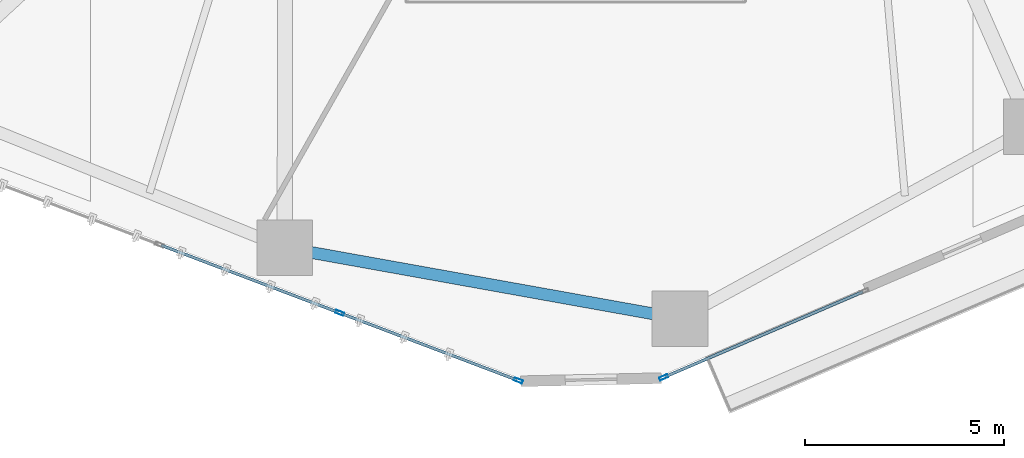
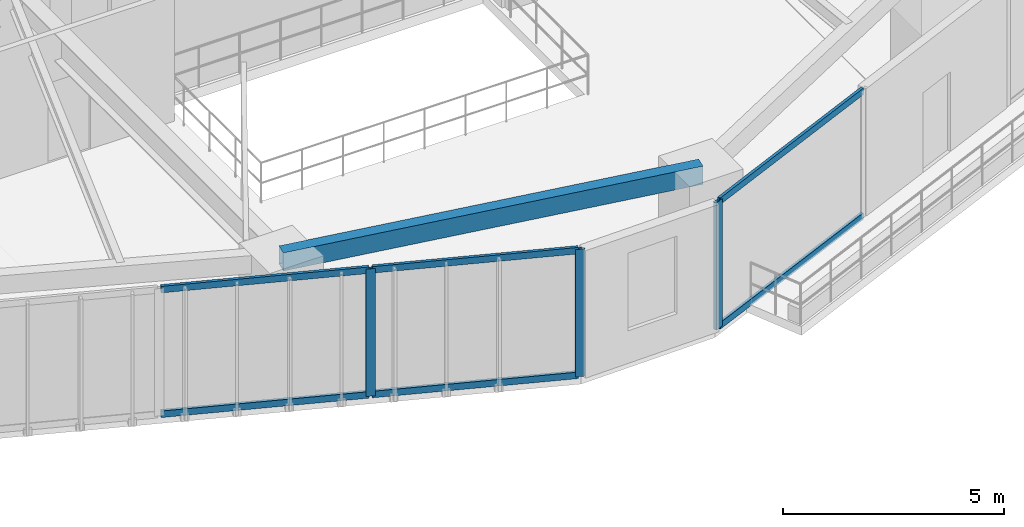
# One storey, part 4 of 23: 9 members, 1 beam, 2 elements without a shape of their own.
"""IFC4 building model written with IfcOpenShell, lengths in metres."""

import ifcopenshell
import ifcopenshell.guid

model = None  # the IFC model being written
_history = None  # IfcOwnerHistory: only IFC2X3 demands one
_inside = {}  # id of a spatial element -> (the spatial element, [elements in it])
_under = {}  # id of a project, library or spatial element -> (it, [spatial elements below it])
_declared = {}  # id of a project -> (the project, [libraries it declares])
_typed = {}  # id of a type object -> (the type object, [elements of that type])
_made_of = {}  # id of a material, layer set ... -> (it, [elements and type objects made of it])


def new_model(schema):
    """Start an empty IFC model of exactly this schema.

    Asked for "IFC4X3", IfcOpenShell would pick the latest addendum, in which some entities
    have other attributes; the version numbers below select the first issue.
    IFC2X3 requires an IfcOwnerHistory on every rooted entity: one is made here for all.
    """
    global model, _history
    if schema == "IFC4X3":
        model = ifcopenshell.file(schema_version=(4, 3, 0, 0))
    else:
        model = ifcopenshell.file(schema=schema)
    _inside.clear()
    _under.clear()
    _declared.clear()
    _typed.clear()
    _made_of.clear()
    _history = None
    if model.schema == "IFC2X3":
        org = make("IfcOrganization", Name="unknown")
        user = make(
            "IfcPersonAndOrganization",
            ThePerson=make("IfcPerson", FamilyName="unknown"),
            TheOrganization=org,
        )
        app = make(
            "IfcApplication",
            ApplicationDeveloper=org,
            Version="unknown",
            ApplicationFullName="unknown",
            ApplicationIdentifier="unknown",
        )
        _history = make(
            "IfcOwnerHistory",
            OwningUser=user,
            OwningApplication=app,
            ChangeAction="ADDED",
            CreationDate=0,
        )
    return model


def make(cls, **values):
    """One entity of the class cls with the attributes given. An attribute that is None is left unset."""
    return model.create_entity(
        cls, **{name: value for name, value in values.items() if value is not None}
    )


def rooted(cls, **values):
    """An entity with a GlobalId (a new one), such as an element, a storey or a relation."""
    return make(cls, GlobalId=ifcopenshell.guid.new(), OwnerHistory=_history, **values)


def si_unit(unit_type, name, prefix=None):
    """IfcSIUnit, for example si_unit("LENGTHUNIT", "METRE", prefix="MILLI")."""
    return make("IfcSIUnit", UnitType=unit_type, Prefix=prefix, Name=name)


def assignment(units):
    """IfcUnitAssignment: the units of a project."""
    return None if units is None else make("IfcUnitAssignment", Units=units)


def point(xyz):
    """IfcCartesianPoint."""
    return None if xyz is None else make("IfcCartesianPoint", Coordinates=xyz)


def direction(xyz):
    """IfcDirection."""
    return None if xyz is None else make("IfcDirection", DirectionRatios=xyz)


def frame(location, z_axis=None, x_axis=None):
    """IfcAxis2Placement3D, a coordinate frame: its origin and axes. An axis left out is left unset."""
    return make(
        "IfcAxis2Placement3D",
        Location=point(location),
        Axis=direction(z_axis),
        RefDirection=direction(x_axis),
    )


def frame_2d(location, x_axis=None):
    """IfcAxis2Placement2D, a coordinate frame in the plane: its origin and x axis."""
    return make(
        "IfcAxis2Placement2D", Location=point(location), RefDirection=direction(x_axis)
    )


def origin():
    """The frame at (0, 0, 0) with its axes left unset."""
    return frame((0.0, 0.0, 0.0))


def origin_2d():
    """The frame at (0, 0) in the plane with its x axis left unset."""
    return frame_2d((0.0, 0.0))


def place(relative_to, where):
    """IfcLocalPlacement: puts the frame where relative to a parent placement (None: the world)."""
    return make(
        "IfcLocalPlacement", PlacementRelTo=relative_to, RelativePlacement=where
    )


def context(
    kind, dimensions, precision=None, world=None, true_north=None, identifier=None
):
    """IfcGeometricRepresentationContext, for example the 3D "Model" context."""
    return make(
        "IfcGeometricRepresentationContext",
        ContextIdentifier=identifier,
        ContextType=kind,
        CoordinateSpaceDimension=dimensions,
        Precision=precision,
        WorldCoordinateSystem=world,
        TrueNorth=true_north,
    )


def subcontext(parent, identifier, kind, view, scale=None):
    """IfcGeometricRepresentationSubContext, for example "Body" below "Model"."""
    return make(
        "IfcGeometricRepresentationSubContext",
        ContextIdentifier=identifier,
        ContextType=kind,
        ParentContext=parent,
        TargetScale=scale,
        TargetView=view,
    )


def project(units=None, contexts=None):
    """IfcProject with its units and contexts."""
    return rooted(
        "IfcProject",
        Name="project",
        RepresentationContexts=contexts,
        UnitsInContext=assignment(units),
    )


def spatial(cls, under=None, at=None, **own):
    """A site, building, storey or space (cls), placed at a placement, below another one or the project."""
    s = rooted(cls, ObjectPlacement=at, **own)
    if under is not None:
        _under.setdefault(under.id(), (under, []))[1].append(s)
    return s


def profile(cls, at=None, kind="AREA", **sizes):
    """A parametric profile (cls). Its sizes go by their IFC names, for example OverallWidth=200.0."""
    return make(cls, ProfileType=kind, Position=at, **sizes)


def hollow_rectangle(**sizes):
    """IfcRectangleHollowProfileDef."""
    return profile("IfcRectangleHollowProfileDef", **sizes)


def extrude(swept, where, along, depth):
    """IfcExtrudedAreaSolid: the profile swept, set in the frame where, extruded along a direction by depth."""
    return make(
        "IfcExtrudedAreaSolid",
        SweptArea=swept,
        Position=where,
        ExtrudedDirection=direction(along),
        Depth=depth,
    )


def shape(context_of_items, identifier, shape_type, items):
    """IfcShapeRepresentation: the items that make up one representation, for example the "Body"."""
    return make(
        "IfcShapeRepresentation",
        ContextOfItems=context_of_items,
        RepresentationIdentifier=identifier,
        RepresentationType=shape_type,
        Items=items,
    )


def source(mapping_origin, context_of_items, identifier, shape_type, items):
    """IfcRepresentationMap: a shape defined once, which mapped items show again and again."""
    return make(
        "IfcRepresentationMap",
        MappingOrigin=mapping_origin,
        MappedRepresentation=shape(context_of_items, identifier, shape_type, items),
    )


def transform(
    local_origin,
    x_axis=None,
    y_axis=None,
    z_axis=None,
    scale=None,
    scale2=None,
    scale3=None,
    uniform=True,
):
    """IfcCartesianTransformationOperator3D, or its non-uniform kind. x_axis, y_axis, z_axis: its Axis1, 2, 3."""
    if uniform:
        return make(
            "IfcCartesianTransformationOperator3D",
            Axis1=direction(x_axis),
            Axis2=direction(y_axis),
            LocalOrigin=point(local_origin),
            Scale=scale,
            Axis3=direction(z_axis),
        )
    return make(
        "IfcCartesianTransformationOperator3DnonUniform",
        Axis1=direction(x_axis),
        Axis2=direction(y_axis),
        LocalOrigin=point(local_origin),
        Scale=scale,
        Axis3=direction(z_axis),
        Scale2=scale2,
        Scale3=scale3,
    )


def mapped(mapping_source, mapping_target):
    """IfcMappedItem: shows the shape of a source again, moved by a transform."""
    return make(
        "IfcMappedItem", MappingSource=mapping_source, MappingTarget=mapping_target
    )


def material(Name=None, Category=None):
    """IfcMaterial."""
    return make("IfcMaterial", Name=Name, Category=Category)


def layer(
    of_material, thickness, ventilated=None, Name=None, Category=None, Priority=None
):
    """IfcMaterialLayer: one layer of a wall or slab, of a material (None: an air gap)."""
    return make(
        "IfcMaterialLayer",
        Material=of_material,
        LayerThickness=thickness,
        IsVentilated=ventilated,
        Name=Name,
        Category=Category,
        Priority=Priority,
    )


def layer_set(layers, Name=None):
    """IfcMaterialLayerSet."""
    return make("IfcMaterialLayerSet", MaterialLayers=layers, LayerSetName=Name)


def material_profile(
    of_material, cross_section, Name=None, Category=None, Priority=None
):
    """IfcMaterialProfile: a cross section and its material."""
    return make(
        "IfcMaterialProfile",
        Name=Name,
        Material=of_material,
        Profile=cross_section,
        Priority=Priority,
        Category=Category,
    )


def profile_set(profiles, Name=None, composite=None):
    """IfcMaterialProfileSet."""
    return make(
        "IfcMaterialProfileSet",
        Name=Name,
        MaterialProfiles=profiles,
        CompositeProfile=composite,
    )


def made_of(thing, what):
    """Note that an element or type object is made of a material, layer set ...; save() writes the relation."""
    if what is not None:
        _made_of.setdefault(what.id(), (what, []))[1].append(thing)
    return thing


def type_object(cls, material=None, **own):
    """A type object (cls), such as IfcWallType, which elements share."""
    return made_of(rooted(cls, **own), material)


def type_shapes(of_type, sources):
    """Give a type object the sources (RepresentationMaps) that its elements show as mapped items."""
    of_type.RepresentationMaps = sources


def element(
    cls,
    number,
    at=None,
    inside=None,
    cuts=None,
    type_object=None,
    material=None,
    context=None,
    identifier="Body",
    shape_type=None,
    held_by="IfcProductDefinitionShape",
    body=None,
    shapes=None,
    **own,
):
    """One element of the class cls, such as IfcWall. Its Tag is "e" and its number.

    at: its placement. inside: the storey or other place that contains it. cuts: it is an
    opening in that element (IfcRelVoidsElement). A single representation is given by context,
    identifier, shape_type and body (its items); several are given by shapes. held_by: the class
    of the entity that holds the representations. save() writes the other relations.
    """
    e = rooted(cls, Tag="e%d" % number, ObjectPlacement=at, **own)
    if body is not None:
        shapes = [shape(context, identifier, shape_type, body)]
    if shapes is not None:
        e.Representation = make(held_by, Representations=shapes)
    if inside is not None:
        _inside.setdefault(inside.id(), (inside, []))[1].append(e)
    if cuts is not None:
        rooted(
            "IfcRelVoidsElement", RelatingBuildingElement=cuts, RelatedOpeningElement=e
        )
    if type_object is not None:
        _typed.setdefault(type_object.id(), (type_object, []))[1].append(e)
    return made_of(e, material)


def aggregate(whole, parts):
    """IfcRelAggregates: a whole, such as a stair, and the parts it consists of."""
    return rooted("IfcRelAggregates", RelatingObject=whole, RelatedObjects=parts)


def save(model, path):
    """Write the relations noted so far, then the file.

    IfcRelAggregates (storeys below a building ...), IfcRelContainedInSpatialStructure (elements
    in a storey), IfcRelDefinesByType, IfcRelAssociatesMaterial and IfcRelDeclares: one each for
    every whole, place, type object, material and project.
    """
    for whole, parts in _under.values():
        aggregate(whole, parts)
    for where, things in _inside.values():
        rooted(
            "IfcRelContainedInSpatialStructure",
            RelatedElements=things,
            RelatingStructure=where,
        )
    for kind, things in _typed.values():
        rooted("IfcRelDefinesByType", RelatedObjects=things, RelatingType=kind)
    for what, things in _made_of.values():
        rooted("IfcRelAssociatesMaterial", RelatedObjects=things, RelatingMaterial=what)
    for by, libraries in _declared.values():
        rooted("IfcRelDeclares", RelatingContext=by, RelatedDefinitions=libraries)
    model.write(path)


model = new_model("IFC4")

# Units and contexts
model_context = context("Model", 3, precision=1e-05, world=origin(), true_north=direction((0.0, 1.0)))
body_context = subcontext(model_context, "Body", "Model", "MODEL_VIEW")
ifc_project = project(units=[si_unit("LENGTHUNIT", "METRE"), si_unit("AREAUNIT", "SQUARE_METRE"), si_unit("VOLUMEUNIT", "CUBIC_METRE"), si_unit("PLANEANGLEUNIT", "RADIAN"), si_unit("MASSUNIT", "GRAM", prefix="KILO")], contexts=[model_context])

# Site, building, storey
site_placement = place(None, origin())
site = spatial("IfcSite", under=ifc_project, at=site_placement, CompositionType="ELEMENT")
building_placement = place(site_placement, origin())
building = spatial("IfcBuilding", under=site, at=building_placement, Name="Talar Marvaseh", CompositionType="ELEMENT")
storey_placement = place(building_placement, frame((0.0, 0.0, 27.800048828125)))
storey = spatial("IfcBuildingStorey", under=building, at=storey_placement, Name="L06", CompositionType="ELEMENT", Elevation=27.800048828125)

# Beam
ifc_material_1 = material(Name="Steel S355", Category="steel")
ifc_material_profile_1 = material_profile(ifc_material_1, hollow_rectangle(XDim=0.300048828125, YDim=0.5, WallThickness=0.02001953125, at=origin_2d()), Name="RHS500x300x20")
ifc_profile_set_1 = profile_set([ifc_material_profile_1], Name="Steel S355")
beam_type = type_object("IfcBeamType", Name="Zone 1 Perimeter Spandrel Beam RHS500x300x20", PredefinedType="SPANDREL", material=ifc_profile_set_1)
beam_placement = place(storey_placement, frame((28.625, 11.195068359375, 3.27001953125), z_axis=(-0.984279934962, 0.176615428632, 0.0), x_axis=(-0.176615428632, -0.984279934962, 0.0)))
element("IfcBeam", 1, at=beam_placement, inside=storey, type_object=beam_type, Name="L06 Zone 1 Perimeter Spandrel Beam RHS500x300x20", PredefinedType="SPANDREL", context=body_context, shape_type="SweptSolid", body=[
    extrude(hollow_rectangle(XDim=0.300048828125, YDim=0.5, WallThickness=0.02001953125, at=origin_2d()), origin(), (0.0, 0.0, 1.0), 10.1005859375),
])

# Curtain wall, member
ifc_material_2 = material(Name="Architectural Aluminium", Category="aluminium")
ifc_layer = layer(ifc_material_2, 0.219970703125)
ifc_layer_set = layer_set([ifc_layer], Name="Architectural Aluminium")
curtain_wall_type = type_object("IfcCurtainWallType", Name="Unitised Low-E Museum Curtain Wall Z1", PredefinedType="NOTDEFINED", material=ifc_layer_set)
curtain_wall_1_placement = place(storey_placement, origin())
curtain_wall_1 = element("IfcCurtainWall", 2, at=curtain_wall_1_placement, inside=storey, type_object=curtain_wall_type, Name="L06 Unitised Low-E Museum Curtain Wall Z1", PredefinedType="NOTDEFINED")
ifc_material_profile_2 = material_profile(ifc_material_2, hollow_rectangle(XDim=0.080078125, YDim=0.219970703125, WallThickness=0.0048828125, at=origin_2d()), Name="RHS220x80x5")
ifc_profile_set_2 = profile_set([ifc_material_profile_2], Name="Architectural Aluminium")
member_type_1 = type_object("IfcMemberType", Name="Unitised Curtain Wall Heavy Mullion RHS220x80x5", PredefinedType="MULLION", material=ifc_profile_set_2)
shared_shape_1 = source(origin(), body_context, "Body", "SweptSolid", [
    extrude(hollow_rectangle(XDim=0.080078125, YDim=0.219970703125, WallThickness=0.0048828125, at=origin_2d()), origin(), (0.0, 0.0, 1.0), 3.52001953125),
])
type_shapes(member_type_1, [shared_shape_1])
member_1_placement = place(storey_placement, frame((28.216064453125, 9.717529296875, 0.0), z_axis=(0.0, 0.0, 1.0), x_axis=(0.39460362478, -0.918851445725, 0.0)))
member_1 = element("IfcMember", 3, at=member_1_placement, type_object=member_type_1, Name="CW-Z1 mullion 2", PredefinedType="MULLION", context=body_context, shape_type="MappedRepresentation", body=[
    mapped(shared_shape_1, transform((0.0, 0.0, 0.0), x_axis=(1.0, 0.0, 0.0), y_axis=(0.0, 1.0, 0.0), z_axis=(0.0, 0.0, 1.0), scale=1.0)),
])

# Curtain wall, members
curtain_wall_2_placement = place(storey_placement, origin())
curtain_wall_2 = element("IfcCurtainWall", 4, at=curtain_wall_2_placement, inside=storey, type_object=curtain_wall_type, Name="L06 Unitised Low-E Museum Curtain Wall Z1", PredefinedType="NOTDEFINED")
member_2_placement = place(storey_placement, frame((24.561767578125, 9.6376953125, 0.0), z_axis=(0.0, 0.0, 1.0), x_axis=(-0.354147373167, -0.935189626802, 0.0)))
member_2 = element("IfcMember", 5, at=member_2_placement, type_object=member_type_1, Name="CW-Z1 mullion 1", PredefinedType="MULLION", context=body_context, shape_type="MappedRepresentation", body=[
    mapped(shared_shape_1, transform((0.0, 0.0, 0.0), x_axis=(1.0, 0.0, 0.0), y_axis=(0.0, 1.0, 0.0), z_axis=(0.0, 0.0, 1.0), scale=1.0)),
])
member_3_placement = place(storey_placement, frame((20.06787109375, 11.339599609375, 0.0), z_axis=(0.0, 0.0, 1.0), x_axis=(-0.354147373167, -0.935189626802, 0.0)))
member_3 = element("IfcMember", 6, at=member_3_placement, type_object=member_type_1, Name="CW-Z1 mullion 2", PredefinedType="MULLION", context=body_context, shape_type="MappedRepresentation", body=[
    mapped(shared_shape_1, transform((0.0, 0.0, 0.0), x_axis=(1.0, 0.0, 0.0), y_axis=(0.0, 1.0, 0.0), z_axis=(0.0, 0.0, 1.0), scale=1.0)),
])
ifc_material_profile_3 = material_profile(ifc_material_2, hollow_rectangle(XDim=0.074951171875, YDim=0.179931640625, WallThickness=0.0048828125, at=origin_2d()), Name="RHS180x75x5")
ifc_profile_set_3 = profile_set([ifc_material_profile_3], Name="Architectural Aluminium")
member_type_2 = type_object("IfcMemberType", Name="Unitised Curtain Wall Transom RHS180x75x5", PredefinedType="USERDEFINED", material=ifc_profile_set_3)
shared_shape_2 = source(origin(), body_context, "Body", "SweptSolid", [
    extrude(hollow_rectangle(XDim=0.074951171875, YDim=0.179931640625, WallThickness=0.0048828125, at=origin_2d()), origin(), (0.0, 0.0, 1.0), 4.765380859375),
])
member_4_placement = place(storey_placement, frame((20.030517578125, 11.353759765625, 0.037353515625), z_axis=(-0.935200067288, 0.354119801966, 0.0), x_axis=(-0.354119801966, -0.935200067288, 0.0)))
member_4 = element("IfcMember", 7, at=member_4_placement, type_object=member_type_2, Name="CW-Z1 transom 2.1", ObjectType="TRANSOM", PredefinedType="USERDEFINED", context=body_context, shape_type="MappedRepresentation", body=[
    mapped(shared_shape_2, transform((0.0, 0.0, 0.0), x_axis=(1.0, 0.0, 0.0), y_axis=(0.0, 1.0, 0.0), z_axis=(0.0, 0.0, 1.0), scale=1.0)),
])
member_5_placement = place(storey_placement, frame((20.030517578125, 11.353759765625, 3.482421875), z_axis=(-0.935200067288, 0.354119801966, 0.0), x_axis=(-0.354119801966, -0.935200067288, 0.0)))
member_5 = element("IfcMember", 8, at=member_5_placement, type_object=member_type_2, Name="CW-Z1 transom 2.2", ObjectType="TRANSOM", PredefinedType="USERDEFINED", context=body_context, shape_type="MappedRepresentation", body=[
    mapped(shared_shape_2, transform((0.0, 0.0, 0.0), x_axis=(1.0, 0.0, 0.0), y_axis=(0.0, 1.0, 0.0), z_axis=(0.0, 0.0, 1.0), scale=1.0)),
])

# Member
shared_shape_3 = source(origin(), body_context, "Body", "SweptSolid", [
    extrude(hollow_rectangle(XDim=0.074951171875, YDim=0.179931640625, WallThickness=0.0048828125, at=origin_2d()), origin(), (0.0, 0.0, 1.0), 5.412109375),
])
member_6_placement = place(storey_placement, frame((33.225830078125, 11.868896484375, 0.037353515625), z_axis=(-0.91884376971, -0.394621498229, 0.0), x_axis=(0.394621498229, -0.91884376971, 0.0)))
member_6 = element("IfcMember", 9, at=member_6_placement, type_object=member_type_2, Name="CW-Z1 transom 1.1", ObjectType="TRANSOM", PredefinedType="USERDEFINED", context=body_context, shape_type="MappedRepresentation", body=[
    mapped(shared_shape_3, transform((0.0, 0.0, 0.0), x_axis=(1.0, 0.0, 0.0), y_axis=(0.0, 1.0, 0.0), z_axis=(0.0, 0.0, 1.0), scale=1.0)),
])

member_7_placement = place(storey_placement, frame((33.225830078125, 11.868896484375, 3.482421875), z_axis=(-0.91884376971, -0.394621498229, 0.0), x_axis=(0.394621498229, -0.91884376971, 0.0)))
member_7 = element("IfcMember", 10, at=member_7_placement, type_object=member_type_2, Name="CW-Z1 transom 1.2", ObjectType="TRANSOM", PredefinedType="USERDEFINED", context=body_context, shape_type="MappedRepresentation", body=[
    mapped(shared_shape_3, transform((0.0, 0.0, 0.0), x_axis=(1.0, 0.0, 0.0), y_axis=(0.0, 1.0, 0.0), z_axis=(0.0, 0.0, 1.0), scale=1.0)),
])

aggregate(curtain_wall_1, [member_1, member_6, member_7])

shared_shape_4 = source(origin(), body_context, "Body", "SweptSolid", [
    extrude(hollow_rectangle(XDim=0.074951171875, YDim=0.179931640625, WallThickness=0.0048828125, at=origin_2d()), origin(), (0.0, 0.0, 1.0), 4.7255859375),
])
type_shapes(member_type_2, [shared_shape_2, shared_shape_3, shared_shape_4])
member_8_placement = place(storey_placement, frame((24.5244140625, 9.65185546875, 0.037353515625), z_axis=(-0.935184077407, 0.354162026994, 0.0), x_axis=(-0.354162026994, -0.935184077407, 0.0)))
member_8 = element("IfcMember", 11, at=member_8_placement, type_object=member_type_2, Name="CW-Z1 transom 1.1", ObjectType="TRANSOM", PredefinedType="USERDEFINED", context=body_context, shape_type="MappedRepresentation", body=[
    mapped(shared_shape_4, transform((0.0, 0.0, 0.0), x_axis=(1.0, 0.0, 0.0), y_axis=(0.0, 1.0, 0.0), z_axis=(0.0, 0.0, 1.0), scale=1.0)),
])

member_9_placement = place(storey_placement, frame((24.5244140625, 9.65185546875, 3.482421875), z_axis=(-0.935184077407, 0.354162026994, 0.0), x_axis=(-0.354162026994, -0.935184077407, 0.0)))
member_9 = element("IfcMember", 12, at=member_9_placement, type_object=member_type_2, Name="CW-Z1 transom 1.2", ObjectType="TRANSOM", PredefinedType="USERDEFINED", context=body_context, shape_type="MappedRepresentation", body=[
    mapped(shared_shape_4, transform((0.0, 0.0, 0.0), x_axis=(1.0, 0.0, 0.0), y_axis=(0.0, 1.0, 0.0), z_axis=(0.0, 0.0, 1.0), scale=1.0)),
])

aggregate(curtain_wall_2, [member_2, member_3, member_8, member_9, member_4, member_5])

save(model, "model.ifc")
